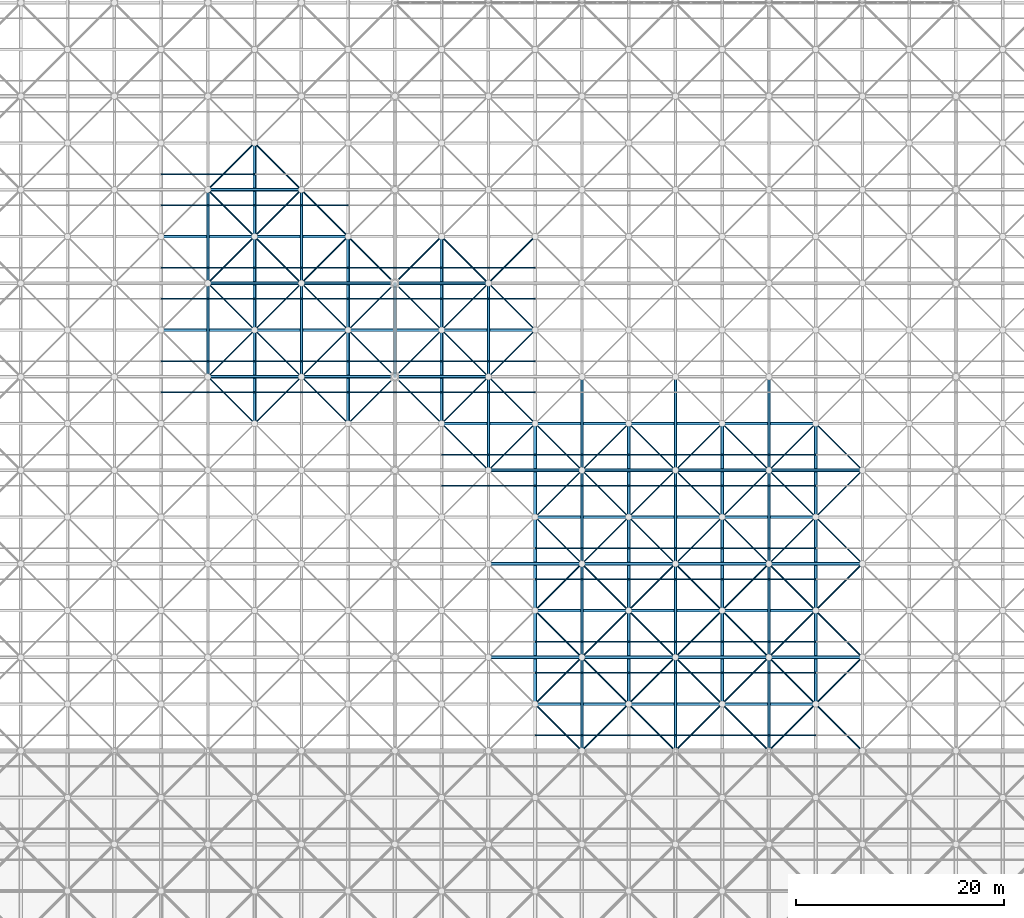
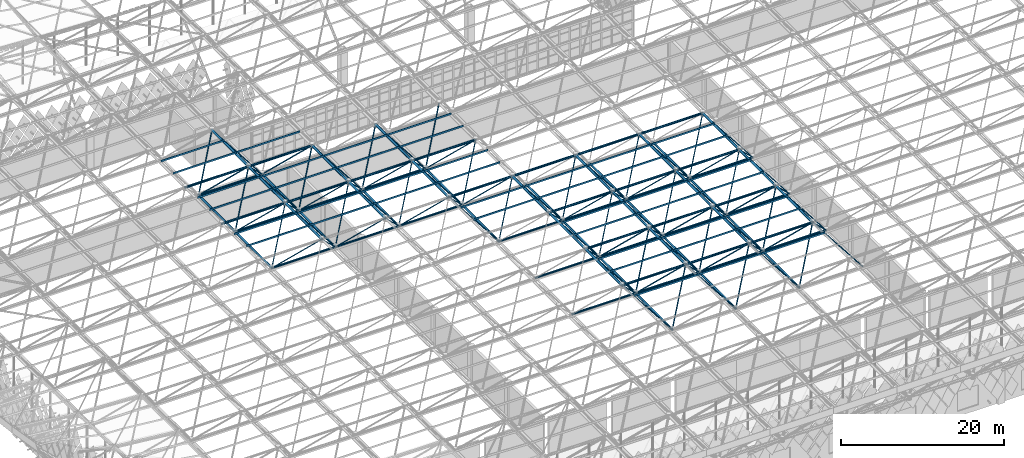
# One storey, part 91 of 437: 202 members.
"""IFC4 building model written with IfcOpenShell, lengths in metres."""

from ifc_helpers import new_model, si_unit, direction, frame, origin, origin_2d, place, context, subcontext, project, spatial, polyline, hollow_circle, outline, extrude, material, material_profile, profile_set, type_object, element, save


model = new_model("IFC4")

# Units and contexts
model_context = context("Model", 3, precision=1e-05, world=origin(), true_north=direction((0.0, 1.0)))
body_context = subcontext(model_context, "Body", "Model", "MODEL_VIEW")
ifc_project = project(units=[si_unit("LENGTHUNIT", "METRE"), si_unit("AREAUNIT", "SQUARE_METRE"), si_unit("VOLUMEUNIT", "CUBIC_METRE"), si_unit("PLANEANGLEUNIT", "RADIAN"), si_unit("MASSUNIT", "GRAM", prefix="KILO")], contexts=[model_context])

# Site, building, storey
site_placement = place(None, origin())
site = spatial("IfcSite", under=ifc_project, at=site_placement, CompositionType="ELEMENT")
building_placement = place(site_placement, origin())
building = spatial("IfcBuilding", under=site, at=building_placement, Name="Opaline Strait Convention Centre", CompositionType="ELEMENT")
storey_placement = place(building_placement, frame((0.0, 0.0, 11.5)))
storey = spatial("IfcBuildingStorey", under=building, at=storey_placement, Name="L02", CompositionType="ELEMENT", Elevation=11.5)

# Members
ifc_material = material(Name="Steel Q355B", Category="steel")
ifc_material_profile_1 = material_profile(ifc_material, outline(polyline([(-0.03759765625, -0.125), (0.03759765625, -0.125), (0.03759765625, -0.10498046875), (0.034912109375, -0.10498046875), (0.034912109375, -0.12255859375), (-0.034912109375, -0.12255859375), (-0.034912109375, 0.12255859375), (0.034912109375, 0.12255859375), (0.034912109375, 0.10498046875), (0.03759765625, 0.10498046875), (0.03759765625, 0.125), (-0.03759765625, 0.125), (-0.03759765625, -0.125)])), Name="C 250x75x20x2.5")
ifc_profile_set_1 = profile_set([ifc_material_profile_1], Name="Steel Q355B")
member_type_1 = type_object("IfcMemberType", Name="Roof purlin C 250x75x20x2.5", PredefinedType="PURLIN", material=ifc_profile_set_1)
for number, where, z_axis, x_axis, name in (
    (1, (166.5, 73.5, 18.257080078125), (1.0, 0.0, 0.0), (0.0, 1.0, 0.0), "EXB-RF-P-9-3-1"),
    (2, (175.5, 73.5, 18.257080078125), (1.0, 0.0, 0.0), (0.0, 1.0, 0.0), "EXB-RF-P-10-3-1"),
    (3, (184.5, 73.5, 18.257080078125), (1.0, 0.0, 0.0), (0.0, 1.0, 0.0), "EXB-RF-P-11-3-1"),
    (4, (166.5, 79.5, 18.257080078125), (1.0, 0.0, 0.0), (0.0, 1.0, 0.0), "EXB-RF-P-9-4-0"),
    (5, (166.5, 82.5, 18.257080078125), (1.0, 0.0, 0.0), (0.0, 1.0, 0.0), "EXB-RF-P-9-4-1"),
    (6, (175.5, 79.5, 18.257080078125), (1.0, 0.0, 0.0), (0.0, 1.0, 0.0), "EXB-RF-P-10-4-0"),
    (7, (175.5, 82.5, 18.257080078125), (1.0, 0.0, 0.0), (0.0, 1.0, 0.0), "EXB-RF-P-10-4-1"),
    (8, (184.5, 79.5, 18.257080078125), (1.0, 0.0, 0.0), (0.0, 1.0, 0.0), "EXB-RF-P-11-4-0"),
    (9, (184.5, 82.5, 18.257080078125), (1.0, 0.0, 0.0), (0.0, 1.0, 0.0), "EXB-RF-P-11-4-1"),
    (10, (166.5, 88.5, 18.257080078125), (1.0, 0.0, 0.0), (0.0, 1.0, 0.0), "EXB-RF-P-9-5-0"),
    (11, (166.5, 91.5, 18.257080078125), (1.0, 0.0, 0.0), (0.0, 1.0, 0.0), "EXB-RF-P-9-5-1"),
    (12, (175.5, 88.5, 18.257080078125), (1.0, 0.0, 0.0), (0.0, 1.0, 0.0), "EXB-RF-P-10-5-0"),
    (13, (175.5, 91.5, 18.257080078125), (1.0, 0.0, 0.0), (0.0, 1.0, 0.0), "EXB-RF-P-10-5-1"),
    (14, (184.5, 88.5, 18.257080078125), (1.0, 0.0, 0.0), (0.0, 1.0, 0.0), "EXB-RF-P-11-5-0"),
    (15, (184.5, 91.5, 18.257080078125), (1.0, 0.0, 0.0), (0.0, 1.0, 0.0), "EXB-RF-P-11-5-1"),
    (16, (157.5, 97.5, 18.257080078125), (1.0, 0.0, 0.0), (0.0, 1.0, 0.0), "EXB-RF-P-8-6-0"),
    (17, (157.5, 100.5, 18.257080078125), (1.0, 0.0, 0.0), (0.0, 1.0, 0.0), "EXB-RF-P-8-6-1"),
    (18, (166.5, 97.5, 18.257080078125), (1.0, 0.0, 0.0), (0.0, 1.0, 0.0), "EXB-RF-P-9-6-0"),
    (19, (166.5, 100.5, 18.257080078125), (1.0, 0.0, 0.0), (0.0, 1.0, 0.0), "EXB-RF-P-9-6-1"),
    (20, (175.5, 97.5, 18.257080078125), (1.0, 0.0, 0.0), (0.0, 1.0, 0.0), "EXB-RF-P-10-6-0"),
    (21, (175.5, 100.5, 18.257080078125), (1.0, 0.0, 0.0), (0.0, 1.0, 0.0), "EXB-RF-P-10-6-1"),
    (22, (184.5, 97.5, 18.257080078125), (1.0, 0.0, 0.0), (0.0, 1.0, 0.0), "EXB-RF-P-11-6-0"),
    (23, (184.5, 100.5, 18.257080078125), (1.0, 0.0, 0.0), (0.0, 1.0, 0.0), "EXB-RF-P-11-6-1"),
    (24, (130.5, 106.5, 18.257080078125), (1.0, 0.0, 0.0), (0.0, 1.0, 0.0), "EXB-RF-P-5-7-0"),
    (25, (130.5, 109.5, 18.257080078125), (1.0, 0.0, 0.0), (0.0, 1.0, 0.0), "EXB-RF-P-5-7-1"),
    (26, (139.5, 106.5, 18.257080078125), (1.0, 0.0, 0.0), (0.0, 1.0, 0.0), "EXB-RF-P-6-7-0"),
    (27, (139.5, 109.5, 18.257080078125), (1.0, 0.0, 0.0), (0.0, 1.0, 0.0), "EXB-RF-P-6-7-1"),
    (28, (148.5, 106.5, 18.257080078125), (1.0, 0.0, 0.0), (0.0, 1.0, 0.0), "EXB-RF-P-7-7-0"),
    (29, (148.5, 109.5, 18.257080078125), (1.0, 0.0, 0.0), (0.0, 1.0, 0.0), "EXB-RF-P-7-7-1"),
    (30, (157.5, 106.5, 18.257080078125), (1.0, 0.0, 0.0), (0.0, 1.0, 0.0), "EXB-RF-P-8-7-0"),
    (31, (157.5, 109.5, 18.257080078125), (1.0, 0.0, 0.0), (0.0, 1.0, 0.0), "EXB-RF-P-8-7-1"),
    (32, (130.5, 115.5, 18.257080078125), (1.0, 0.0, 0.0), (0.0, 1.0, 0.0), "EXB-RF-P-5-8-0"),
    (33, (130.5, 118.5, 18.257080078125), (1.0, 0.0, 0.0), (0.0, 1.0, 0.0), "EXB-RF-P-5-8-1"),
    (34, (139.5, 115.5, 18.257080078125), (1.0, 0.0, 0.0), (0.0, 1.0, 0.0), "EXB-RF-P-6-8-0"),
    (35, (139.5, 118.5, 18.257080078125), (1.0, 0.0, 0.0), (0.0, 1.0, 0.0), "EXB-RF-P-6-8-1"),
    (36, (148.5, 115.5, 18.257080078125), (1.0, 0.0, 0.0), (0.0, 1.0, 0.0), "EXB-RF-P-7-8-0"),
    (37, (148.5, 118.5, 18.257080078125), (1.0, 0.0, 0.0), (0.0, 1.0, 0.0), "EXB-RF-P-7-8-1"),
    (38, (157.5, 115.5, 18.257080078125), (1.0, 0.0, 0.0), (0.0, 1.0, 0.0), "EXB-RF-P-8-8-0"),
    (39, (157.5, 118.5, 18.257080078125), (1.0, 0.0, 0.0), (0.0, 1.0, 0.0), "EXB-RF-P-8-8-1"),
    (40, (130.5, 124.5, 18.257080078125), (1.0, 0.0, 0.0), (0.0, 1.0, 0.0), "EXB-RF-P-5-9-0"),
    (41, (130.5, 127.5, 18.257080078125), (1.0, 0.0, 0.0), (0.0, 1.0, 0.0), "EXB-RF-P-5-9-1"),
    (42, (139.5, 124.5, 18.257080078125), (1.0, 0.0, 0.0), (0.0, 1.0, 0.0), "EXB-RF-P-6-9-0"),
):
    element("IfcMember", number, at=place(storey_placement, frame(where, z_axis=z_axis, x_axis=x_axis)), inside=storey, type_object=member_type_1, Name=name, PredefinedType="PURLIN", context=body_context, shape_type="SweptSolid", body=[
        extrude(outline(polyline([(-0.03759765625, -0.125), (0.03759765625, -0.125), (0.03759765625, -0.10498046875), (0.034912109375, -0.10498046875), (0.034912109375, -0.12255859375), (-0.034912109375, -0.12255859375), (-0.034912109375, 0.12255859375), (0.034912109375, 0.12255859375), (0.034912109375, 0.10498046875), (0.03759765625, 0.10498046875), (0.03759765625, 0.125), (-0.03759765625, 0.125), (-0.03759765625, -0.125)])), origin(), (0.0, 0.0, 1.0), 9.0),
    ])
ifc_material_profile_2 = material_profile(ifc_material, hollow_circle(Radius=0.1494140625, WallThickness=0.010009765625, at=origin_2d()), Name="CHS 299x10")
ifc_profile_set_2 = profile_set([ifc_material_profile_2], Name="Steel Q355B")
member_type_2 = type_object("IfcMemberType", Name="Space frame bottom chord CHS 299x10", PredefinedType="CHORD", material=ifc_profile_set_2)
for number, where, z_axis, x_axis, name in (
    (43, (134.949951171875, 108.0, 12.5), (1.0, 0.0, 0.0), (0.0, 1.0, 0.0), "EXB-RF-BX-5-7"),
    (44, (134.949951171875, 117.0, 12.5), (1.0, 0.0, 0.0), (0.0, 1.0, 0.0), "EXB-RF-BX-5-8"),
    (45, (134.949951171875, 126.0, 12.5), (1.0, 0.0, 0.0), (0.0, 1.0, 0.0), "EXB-RF-BX-5-9"),
    (46, (135.0, 107.949951171875, 12.5), (0.0, 1.0, 0.0), (-1.0, 0.0, 0.0), "EXB-RF-BY-5-7"),
    (47, (135.0, 116.949951171875, 12.5), (0.0, 1.0, 0.0), (-1.0, 0.0, 0.0), "EXB-RF-BY-5-8"),
):
    element("IfcMember", number, at=place(storey_placement, frame(where, z_axis=z_axis, x_axis=x_axis)), inside=storey, type_object=member_type_2, Name=name, PredefinedType="CHORD", context=body_context, shape_type="SweptSolid", body=[
        extrude(hollow_circle(Radius=0.1494140625, WallThickness=0.010009765625, at=origin_2d()), origin(), (0.0, 0.0, 1.0), 9.10009765625),
    ])
ifc_material_profile_3 = material_profile(ifc_material, hollow_circle(Radius=0.1494140625, WallThickness=0.01611328125, at=origin_2d()), Name="CHS 299x16")
ifc_profile_set_3 = profile_set([ifc_material_profile_3], Name="Steel Q355B")
member_type_3 = type_object("IfcMemberType", Name="Space frame bottom chord CHS 299x16", PredefinedType="CHORD", material=ifc_profile_set_3)
for number, where, z_axis, x_axis, name in (
    (48, (161.949951171875, 81.0, 12.5), (1.0, 0.0, 0.0), (0.0, 1.0, 0.0), "EXB-RF-BX-8-4"),
    (49, (170.949951171875, 81.0, 12.5), (1.0, 0.0, 0.0), (0.0, 1.0, 0.0), "EXB-RF-BX-9-4"),
    (50, (179.949951171875, 81.0, 12.5), (1.0, 0.0, 0.0), (0.0, 1.0, 0.0), "EXB-RF-BX-10-4"),
    (51, (188.949951171875, 81.0, 12.5), (1.0, 0.0, 0.0), (0.0, 1.0, 0.0), "EXB-RF-BX-11-4"),
    (52, (161.949951171875, 90.0, 12.5), (1.0, 0.0, 0.0), (0.0, 1.0, 0.0), "EXB-RF-BX-8-5"),
    (53, (170.949951171875, 90.0, 12.5), (1.0, 0.0, 0.0), (0.0, 1.0, 0.0), "EXB-RF-BX-9-5"),
    (54, (179.949951171875, 90.0, 12.5), (1.0, 0.0, 0.0), (0.0, 1.0, 0.0), "EXB-RF-BX-10-5"),
    (55, (188.949951171875, 90.0, 12.5), (1.0, 0.0, 0.0), (0.0, 1.0, 0.0), "EXB-RF-BX-11-5"),
    (56, (161.949951171875, 99.0, 12.5), (1.0, 0.0, 0.0), (0.0, 1.0, 0.0), "EXB-RF-BX-8-6"),
    (57, (170.949951171875, 99.0, 12.5), (1.0, 0.0, 0.0), (0.0, 1.0, 0.0), "EXB-RF-BX-9-6"),
    (58, (179.949951171875, 99.0, 12.5), (1.0, 0.0, 0.0), (0.0, 1.0, 0.0), "EXB-RF-BX-10-6"),
    (59, (188.949951171875, 99.0, 12.5), (1.0, 0.0, 0.0), (0.0, 1.0, 0.0), "EXB-RF-BX-11-6"),
    (60, (143.949951171875, 108.0, 12.5), (1.0, 0.0, 0.0), (0.0, 1.0, 0.0), "EXB-RF-BX-6-7"),
    (61, (152.949951171875, 108.0, 12.5), (1.0, 0.0, 0.0), (0.0, 1.0, 0.0), "EXB-RF-BX-7-7"),
    (62, (143.949951171875, 117.0, 12.5), (1.0, 0.0, 0.0), (0.0, 1.0, 0.0), "EXB-RF-BX-6-8"),
    (63, (152.949951171875, 117.0, 12.5), (1.0, 0.0, 0.0), (0.0, 1.0, 0.0), "EXB-RF-BX-7-8"),
    (64, (144.0, 107.949951171875, 12.5), (0.0, 1.0, 0.0), (-1.0, 0.0, 0.0), "EXB-RF-BY-6-7"),
    (65, (144.0, 116.949951171875, 12.5), (0.0, 1.0, 0.0), (-1.0, 0.0, 0.0), "EXB-RF-BY-6-8"),
    (66, (153.0, 107.949951171875, 12.5), (0.0, 1.0, 0.0), (-1.0, 0.0, 0.0), "EXB-RF-BY-7-7"),
    (67, (162.0, 98.949951171875, 12.5), (0.0, 1.0, 0.0), (-1.0, 0.0, 0.0), "EXB-RF-BY-8-6"),
    (68, (162.0, 107.949951171875, 12.5), (0.0, 1.0, 0.0), (-1.0, 0.0, 0.0), "EXB-RF-BY-8-7"),
    (69, (171.0, 71.949951171875, 12.5), (0.0, 1.0, 0.0), (-1.0, 0.0, 0.0), "EXB-RF-BY-9-3"),
    (70, (171.0, 80.949951171875, 12.5), (0.0, 1.0, 0.0), (-1.0, 0.0, 0.0), "EXB-RF-BY-9-4"),
    (71, (171.0, 89.949951171875, 12.5), (0.0, 1.0, 0.0), (-1.0, 0.0, 0.0), "EXB-RF-BY-9-5"),
    (72, (171.0, 98.949951171875, 12.5), (0.0, 1.0, 0.0), (-1.0, 0.0, 0.0), "EXB-RF-BY-9-6"),
    (73, (180.0, 71.949951171875, 12.5), (0.0, 1.0, 0.0), (-1.0, 0.0, 0.0), "EXB-RF-BY-10-3"),
    (74, (180.0, 80.949951171875, 12.5), (0.0, 1.0, 0.0), (-1.0, 0.0, 0.0), "EXB-RF-BY-10-4"),
    (75, (180.0, 89.949951171875, 12.5), (0.0, 1.0, 0.0), (-1.0, 0.0, 0.0), "EXB-RF-BY-10-5"),
    (76, (180.0, 98.949951171875, 12.5), (0.0, 1.0, 0.0), (-1.0, 0.0, 0.0), "EXB-RF-BY-10-6"),
    (77, (189.0, 71.949951171875, 12.5), (0.0, 1.0, 0.0), (-1.0, 0.0, 0.0), "EXB-RF-BY-11-3"),
    (78, (189.0, 80.949951171875, 12.5), (0.0, 1.0, 0.0), (-1.0, 0.0, 0.0), "EXB-RF-BY-11-4"),
    (79, (189.0, 89.949951171875, 12.5), (0.0, 1.0, 0.0), (-1.0, 0.0, 0.0), "EXB-RF-BY-11-5"),
    (80, (189.0, 98.949951171875, 12.5), (0.0, 1.0, 0.0), (-1.0, 0.0, 0.0), "EXB-RF-BY-11-6"),
):
    element("IfcMember", number, at=place(storey_placement, frame(where, z_axis=z_axis, x_axis=x_axis)), inside=storey, type_object=member_type_3, Name=name, PredefinedType="CHORD", context=body_context, shape_type="SweptSolid", body=[
        extrude(hollow_circle(Radius=0.1494140625, WallThickness=0.01611328125, at=origin_2d()), origin(), (0.0, 0.0, 1.0), 9.10009765625),
    ])
ifc_material_profile_4 = material_profile(ifc_material, hollow_circle(Radius=0.16259765625, WallThickness=0.010009765625, at=origin_2d()), Name="CHS 325x10")
ifc_profile_set_4 = profile_set([ifc_material_profile_4], Name="Steel Q355B")
member_type_4 = type_object("IfcMemberType", Name="Space frame top chord CHS 325x10", PredefinedType="CHORD", material=ifc_profile_set_4)
for number, where, z_axis, x_axis, name in (
    (81, (166.449951171875, 76.5, 17.971435546875), (1.0, 0.0, 0.0), (0.0, 1.0, 0.0), "EXB-RF-TX-9-4"),
    (82, (175.449951171875, 76.5, 17.971435546875), (1.0, 0.0, 0.0), (0.0, 1.0, 0.0), "EXB-RF-TX-10-4"),
    (83, (184.449951171875, 76.5, 17.971435546875), (1.0, 0.0, 0.0), (0.0, 1.0, 0.0), "EXB-RF-TX-11-4"),
    (84, (166.449951171875, 85.5, 17.971435546875), (1.0, 0.0, 0.0), (0.0, 1.0, 0.0), "EXB-RF-TX-9-5"),
    (85, (175.449951171875, 85.5, 17.971435546875), (1.0, 0.0, 0.0), (0.0, 1.0, 0.0), "EXB-RF-TX-10-5"),
    (86, (184.449951171875, 85.5, 17.971435546875), (1.0, 0.0, 0.0), (0.0, 1.0, 0.0), "EXB-RF-TX-11-5"),
    (87, (166.449951171875, 94.5, 17.971435546875), (1.0, 0.0, 0.0), (0.0, 1.0, 0.0), "EXB-RF-TX-9-6"),
    (88, (175.449951171875, 94.5, 17.971435546875), (1.0, 0.0, 0.0), (0.0, 1.0, 0.0), "EXB-RF-TX-10-6"),
    (89, (184.449951171875, 94.5, 17.971435546875), (1.0, 0.0, 0.0), (0.0, 1.0, 0.0), "EXB-RF-TX-11-6"),
    (90, (157.449951171875, 103.5, 17.971435546875), (1.0, 0.0, 0.0), (0.0, 1.0, 0.0), "EXB-RF-TX-8-7"),
    (91, (166.449951171875, 103.5, 17.971435546875), (1.0, 0.0, 0.0), (0.0, 1.0, 0.0), "EXB-RF-TX-9-7"),
    (92, (175.449951171875, 103.5, 17.971435546875), (1.0, 0.0, 0.0), (0.0, 1.0, 0.0), "EXB-RF-TX-10-7"),
    (93, (184.449951171875, 103.5, 17.971435546875), (1.0, 0.0, 0.0), (0.0, 1.0, 0.0), "EXB-RF-TX-11-7"),
    (94, (130.449951171875, 112.5, 17.971435546875), (1.0, 0.0, 0.0), (0.0, 1.0, 0.0), "EXB-RF-TX-5-8"),
    (95, (139.449951171875, 112.5, 17.971435546875), (1.0, 0.0, 0.0), (0.0, 1.0, 0.0), "EXB-RF-TX-6-8"),
    (96, (148.449951171875, 112.5, 17.971435546875), (1.0, 0.0, 0.0), (0.0, 1.0, 0.0), "EXB-RF-TX-7-8"),
    (97, (157.449951171875, 112.5, 17.971435546875), (1.0, 0.0, 0.0), (0.0, 1.0, 0.0), "EXB-RF-TX-8-8"),
    (98, (130.449951171875, 121.5, 17.971435546875), (1.0, 0.0, 0.0), (0.0, 1.0, 0.0), "EXB-RF-TX-5-9"),
    (99, (139.449951171875, 121.5, 17.971435546875), (1.0, 0.0, 0.0), (0.0, 1.0, 0.0), "EXB-RF-TX-6-9"),
    (100, (139.5, 103.449951171875, 17.971435546875), (0.0, 1.0, 0.0), (-1.0, 0.0, 0.0), "EXB-RF-TY-6-7"),
    (101, (139.5, 112.449951171875, 17.971435546875), (0.0, 1.0, 0.0), (-1.0, 0.0, 0.0), "EXB-RF-TY-6-8"),
    (102, (139.5, 121.449951171875, 17.971435546875), (0.0, 1.0, 0.0), (-1.0, 0.0, 0.0), "EXB-RF-TY-6-9"),
    (103, (148.5, 103.449951171875, 17.971435546875), (0.0, 1.0, 0.0), (-1.0, 0.0, 0.0), "EXB-RF-TY-7-7"),
    (104, (148.5, 112.449951171875, 17.971435546875), (0.0, 1.0, 0.0), (-1.0, 0.0, 0.0), "EXB-RF-TY-7-8"),
    (105, (157.5, 103.449951171875, 17.971435546875), (0.0, 1.0, 0.0), (-1.0, 0.0, 0.0), "EXB-RF-TY-8-7"),
    (106, (157.5, 112.449951171875, 17.971435546875), (0.0, 1.0, 0.0), (-1.0, 0.0, 0.0), "EXB-RF-TY-8-8"),
    (107, (166.5, 76.449951171875, 17.971435546875), (0.0, 1.0, 0.0), (-1.0, 0.0, 0.0), "EXB-RF-TY-9-4"),
    (108, (166.5, 85.449951171875, 17.971435546875), (0.0, 1.0, 0.0), (-1.0, 0.0, 0.0), "EXB-RF-TY-9-5"),
    (109, (166.5, 94.449951171875, 17.971435546875), (0.0, 1.0, 0.0), (-1.0, 0.0, 0.0), "EXB-RF-TY-9-6"),
    (110, (175.5, 76.449951171875, 17.971435546875), (0.0, 1.0, 0.0), (-1.0, 0.0, 0.0), "EXB-RF-TY-10-4"),
    (111, (175.5, 85.449951171875, 17.971435546875), (0.0, 1.0, 0.0), (-1.0, 0.0, 0.0), "EXB-RF-TY-10-5"),
    (112, (175.5, 94.449951171875, 17.971435546875), (0.0, 1.0, 0.0), (-1.0, 0.0, 0.0), "EXB-RF-TY-10-6"),
    (113, (184.5, 76.449951171875, 17.971435546875), (0.0, 1.0, 0.0), (-1.0, 0.0, 0.0), "EXB-RF-TY-11-4"),
    (114, (184.5, 85.449951171875, 17.971435546875), (0.0, 1.0, 0.0), (-1.0, 0.0, 0.0), "EXB-RF-TY-11-5"),
    (115, (184.5, 94.449951171875, 17.971435546875), (0.0, 1.0, 0.0), (-1.0, 0.0, 0.0), "EXB-RF-TY-11-6"),
    (116, (193.5, 76.449951171875, 17.971435546875), (0.0, 1.0, 0.0), (-1.0, 0.0, 0.0), "EXB-RF-TY-12-4"),
    (117, (193.5, 85.449951171875, 17.971435546875), (0.0, 1.0, 0.0), (-1.0, 0.0, 0.0), "EXB-RF-TY-12-5"),
    (118, (193.5, 94.449951171875, 17.971435546875), (0.0, 1.0, 0.0), (-1.0, 0.0, 0.0), "EXB-RF-TY-12-6"),
):
    element("IfcMember", number, at=place(storey_placement, frame(where, z_axis=z_axis, x_axis=x_axis)), inside=storey, type_object=member_type_4, Name=name, PredefinedType="CHORD", context=body_context, shape_type="SweptSolid", body=[
        extrude(hollow_circle(Radius=0.16259765625, WallThickness=0.010009765625, at=origin_2d()), origin(), (0.0, 0.0, 1.0), 9.10009765625),
    ])
ifc_material_profile_5 = material_profile(ifc_material, hollow_circle(Radius=0.070068359375, WallThickness=0.0048828125, at=origin_2d()), Name="CHS 140x5")
ifc_profile_set_5 = profile_set([ifc_material_profile_5], Name="Steel Q355B")
member_type_5 = type_object("IfcMemberType", Name="Space frame web CHS 140x5", PredefinedType="BRACE", material=ifc_profile_set_5)
for number, where, z_axis, x_axis, name in (
    (119, (139.52685546875, 103.47314453125, 18.004150390625), (-0.536178220346, 0.536178220346, -0.6519400525), (-0.707106781187, -0.707106781187, 0.0), "EXB-RF-W-5-7-10"),
    (120, (139.52685546875, 112.52685546875, 18.004150390625), (-0.536178220346, -0.536178220346, -0.6519400525), (0.707106781187, -0.707106781187, 0.0), "EXB-RF-W-5-7-11"),
    (121, (139.52685546875, 112.47314453125, 18.004150390625), (-0.536178220346, 0.536178220346, -0.6519400525), (-0.707106781187, -0.707106781187, 0.0), "EXB-RF-W-5-8-10"),
    (122, (139.47314453125, 103.47314453125, 18.004150390625), (0.536178220346, 0.536178220346, -0.6519400525), (-0.707106781187, 0.707106781187, 0.0), "EXB-RF-W-6-7-00"),
    (123, (139.47314453125, 112.52685546875, 18.004150390625), (0.536178220346, -0.536178220346, -0.6519400525), (0.707106781187, 0.707106781187, 0.0), "EXB-RF-W-6-7-01"),
    (124, (148.52685546875, 103.47314453125, 18.004150390625), (-0.536178220346, 0.536178220346, -0.6519400525), (-0.707106781187, -0.707106781187, 0.0), "EXB-RF-W-6-7-10"),
    (125, (148.52685546875, 112.52685546875, 18.004150390625), (-0.536178220346, -0.536178220346, -0.6519400525), (0.707106781187, -0.707106781187, 0.0), "EXB-RF-W-6-7-11"),
    (126, (139.47314453125, 112.47314453125, 18.004150390625), (0.536178220346, 0.536178220346, -0.6519400525), (-0.707106781187, 0.707106781187, 0.0), "EXB-RF-W-6-8-00"),
    (127, (148.52685546875, 112.47314453125, 18.004150390625), (-0.536178220346, 0.536178220346, -0.6519400525), (-0.707106781187, -0.707106781187, 0.0), "EXB-RF-W-6-8-10"),
    (128, (148.47314453125, 103.47314453125, 18.004150390625), (0.536178220346, 0.536178220346, -0.6519400525), (-0.707106781187, 0.707106781187, 0.0), "EXB-RF-W-7-7-00"),
    (129, (148.47314453125, 112.52685546875, 18.004150390625), (0.536178220346, -0.536178220346, -0.6519400525), (0.707106781187, 0.707106781187, 0.0), "EXB-RF-W-7-7-01"),
    (130, (157.52685546875, 103.47314453125, 18.004150390625), (-0.536178220346, 0.536178220346, -0.6519400525), (-0.707106781187, -0.707106781187, 0.0), "EXB-RF-W-7-7-10"),
    (131, (157.52685546875, 112.52685546875, 18.004150390625), (-0.536178220346, -0.536178220346, -0.6519400525), (0.707106781187, -0.707106781187, 0.0), "EXB-RF-W-7-7-11"),
    (132, (148.47314453125, 112.47314453125, 18.004150390625), (0.536178220346, 0.536178220346, -0.6519400525), (-0.707106781187, 0.707106781187, 0.0), "EXB-RF-W-7-8-00"),
    (133, (157.52685546875, 112.47314453125, 18.004150390625), (-0.536178220346, 0.536178220346, -0.6519400525), (-0.707106781187, -0.707106781187, 0.0), "EXB-RF-W-7-8-10"),
    (134, (157.47314453125, 103.52685546875, 18.004150390625), (0.536178220346, -0.536178220346, -0.6519400525), (0.707106781187, 0.707106781187, 0.0), "EXB-RF-W-8-6-01"),
    (135, (166.52685546875, 103.52685546875, 18.004150390625), (-0.536178220346, -0.536178220346, -0.6519400525), (0.707106781187, -0.707106781187, 0.0), "EXB-RF-W-8-6-11"),
    (136, (157.47314453125, 103.47314453125, 18.004150390625), (0.536178220346, 0.536178220346, -0.6519400525), (-0.707106781187, 0.707106781187, 0.0), "EXB-RF-W-8-7-00"),
    (137, (157.47314453125, 112.52685546875, 18.004150390625), (0.536178220346, -0.536178220346, -0.6519400525), (0.707106781187, 0.707106781187, 0.0), "EXB-RF-W-8-7-01"),
    (138, (166.52685546875, 103.47314453125, 18.004150390625), (-0.536178220346, 0.536178220346, -0.6519400525), (-0.707106781187, -0.707106781187, 0.0), "EXB-RF-W-8-7-10"),
    (139, (166.52685546875, 112.52685546875, 18.004150390625), (-0.536178220346, -0.536178220346, -0.6519400525), (0.707106781187, -0.707106781187, 0.0), "EXB-RF-W-8-7-11"),
    (140, (157.47314453125, 112.47314453125, 18.004150390625), (0.536178220346, 0.536178220346, -0.6519400525), (-0.707106781187, 0.707106781187, 0.0), "EXB-RF-W-8-8-00"),
    (141, (166.52685546875, 112.47314453125, 18.004150390625), (-0.536178220346, 0.536178220346, -0.6519400525), (-0.707106781187, -0.707106781187, 0.0), "EXB-RF-W-8-8-10"),
    (142, (166.47314453125, 94.52685546875, 18.004150390625), (0.536178220346, -0.536178220346, -0.6519400525), (0.707106781187, 0.707106781187, 0.0), "EXB-RF-W-9-5-01"),
    (143, (175.52685546875, 94.52685546875, 18.004150390625), (-0.536178220346, -0.536178220346, -0.6519400525), (0.707106781187, -0.707106781187, 0.0), "EXB-RF-W-9-5-11"),
    (144, (166.47314453125, 94.47314453125, 18.004150390625), (0.536178220346, 0.536178220346, -0.6519400525), (-0.707106781187, 0.707106781187, 0.0), "EXB-RF-W-9-6-00"),
    (145, (166.47314453125, 103.52685546875, 18.004150390625), (0.536178220346, -0.536178220346, -0.6519400525), (0.707106781187, 0.707106781187, 0.0), "EXB-RF-W-9-6-01"),
    (146, (175.52685546875, 94.47314453125, 18.004150390625), (-0.536178220346, 0.536178220346, -0.6519400525), (-0.707106781187, -0.707106781187, 0.0), "EXB-RF-W-9-6-10"),
    (147, (175.52685546875, 103.52685546875, 18.004150390625), (-0.536178220346, -0.536178220346, -0.6519400525), (0.707106781187, -0.707106781187, 0.0), "EXB-RF-W-9-6-11"),
    (148, (175.47314453125, 94.52685546875, 18.004150390625), (0.536178220346, -0.536178220346, -0.6519400525), (0.707106781187, 0.707106781187, 0.0), "EXB-RF-W-10-5-01"),
    (149, (184.52685546875, 94.52685546875, 18.004150390625), (-0.536178220346, -0.536178220346, -0.6519400525), (0.707106781187, -0.707106781187, 0.0), "EXB-RF-W-10-5-11"),
    (150, (175.47314453125, 94.47314453125, 18.004150390625), (0.536178220346, 0.536178220346, -0.6519400525), (-0.707106781187, 0.707106781187, 0.0), "EXB-RF-W-10-6-00"),
    (151, (175.47314453125, 103.52685546875, 18.004150390625), (0.536178220346, -0.536178220346, -0.6519400525), (0.707106781187, 0.707106781187, 0.0), "EXB-RF-W-10-6-01"),
    (152, (184.52685546875, 94.47314453125, 18.004150390625), (-0.536178220346, 0.536178220346, -0.6519400525), (-0.707106781187, -0.707106781187, 0.0), "EXB-RF-W-10-6-10"),
    (153, (184.52685546875, 103.52685546875, 18.004150390625), (-0.536178220346, -0.536178220346, -0.6519400525), (0.707106781187, -0.707106781187, 0.0), "EXB-RF-W-10-6-11"),
    (154, (184.47314453125, 94.52685546875, 18.004150390625), (0.536178220346, -0.536178220346, -0.6519400525), (0.707106781187, 0.707106781187, 0.0), "EXB-RF-W-11-5-01"),
    (155, (193.52685546875, 94.52685546875, 18.004150390625), (-0.536178220346, -0.536178220346, -0.6519400525), (0.707106781187, -0.707106781187, 0.0), "EXB-RF-W-11-5-11"),
    (156, (184.47314453125, 94.47314453125, 18.004150390625), (0.536178220346, 0.536178220346, -0.6519400525), (-0.707106781187, 0.707106781187, 0.0), "EXB-RF-W-11-6-00"),
    (157, (184.47314453125, 103.52685546875, 18.004150390625), (0.536178220346, -0.536178220346, -0.6519400525), (0.707106781187, 0.707106781187, 0.0), "EXB-RF-W-11-6-01"),
    (158, (193.52685546875, 94.47314453125, 18.004150390625), (-0.536178220346, 0.536178220346, -0.6519400525), (-0.707106781187, -0.707106781187, 0.0), "EXB-RF-W-11-6-10"),
    (159, (193.52685546875, 103.52685546875, 18.004150390625), (-0.536178220346, -0.536178220346, -0.6519400525), (0.707106781187, -0.707106781187, 0.0), "EXB-RF-W-11-6-11"),
    (160, (193.47314453125, 94.52685546875, 18.004150390625), (0.536178220346, -0.536178220346, -0.6519400525), (0.707106781187, 0.707106781187, 0.0), "EXB-RF-W-12-5-01"),
    (161, (193.47314453125, 94.47314453125, 18.004150390625), (0.536178220346, 0.536178220346, -0.6519400525), (-0.707106781187, 0.707106781187, 0.0), "EXB-RF-W-12-6-00"),
    (162, (193.47314453125, 103.52685546875, 18.004150390625), (0.536178220346, -0.536178220346, -0.6519400525), (0.707106781187, 0.707106781187, 0.0), "EXB-RF-W-12-6-01"),
):
    element("IfcMember", number, at=place(storey_placement, frame(where, z_axis=z_axis, x_axis=x_axis)), inside=storey, type_object=member_type_5, Name=name, PredefinedType="BRACE", context=body_context, shape_type="SweptSolid", body=[
        extrude(hollow_circle(Radius=0.070068359375, WallThickness=0.0048828125, at=origin_2d()), origin(), (0.0, 0.0, 1.0), 8.492919921875),
    ])
ifc_material_profile_6 = material_profile(ifc_material, hollow_circle(Radius=0.083984375, WallThickness=0.008056640625, at=origin_2d()), Name="CHS 168x8")
ifc_profile_set_6 = profile_set([ifc_material_profile_6], Name="Steel Q355B")
member_type_6 = type_object("IfcMemberType", Name="Space frame web CHS 168x8", PredefinedType="BRACE", material=ifc_profile_set_6)
for number, where, z_axis, x_axis, name in (
    (163, (139.52685546875, 121.52685546875, 18.004150390625), (-0.536178220346, -0.536178220346, -0.6519400525), (0.707106781187, -0.707106781187, 0.0), "EXB-RF-W-5-8-11"),
    (164, (139.52685546875, 121.47314453125, 18.004150390625), (-0.536178220346, 0.536178220346, -0.6519400525), (-0.707106781187, -0.707106781187, 0.0), "EXB-RF-W-5-9-10"),
    (165, (139.52685546875, 130.52685546875, 18.004150390625), (-0.536178220346, -0.536178220346, -0.6519400525), (0.707106781187, -0.707106781187, 0.0), "EXB-RF-W-5-9-11"),
    (166, (139.47314453125, 121.52685546875, 18.004150390625), (0.536178220346, -0.536178220346, -0.6519400525), (0.707106781187, 0.707106781187, 0.0), "EXB-RF-W-6-8-01"),
    (167, (148.52685546875, 121.52685546875, 18.004150390625), (-0.536178220346, -0.536178220346, -0.6519400525), (0.707106781187, -0.707106781187, 0.0), "EXB-RF-W-6-8-11"),
    (168, (139.47314453125, 121.47314453125, 18.004150390625), (0.536178220346, 0.536178220346, -0.6519400525), (-0.707106781187, 0.707106781187, 0.0), "EXB-RF-W-6-9-00"),
    (169, (139.47314453125, 130.52685546875, 18.004150390625), (0.536178220346, -0.536178220346, -0.6519400525), (0.707106781187, 0.707106781187, 0.0), "EXB-RF-W-6-9-01"),
    (170, (148.52685546875, 121.47314453125, 18.004150390625), (-0.536178220346, 0.536178220346, -0.6519400525), (-0.707106781187, -0.707106781187, 0.0), "EXB-RF-W-6-9-10"),
    (171, (148.47314453125, 121.52685546875, 18.004150390625), (0.536178220346, -0.536178220346, -0.6519400525), (0.707106781187, 0.707106781187, 0.0), "EXB-RF-W-7-8-01"),
    (172, (157.52685546875, 121.52685546875, 18.004150390625), (-0.536178220346, -0.536178220346, -0.6519400525), (0.707106781187, -0.707106781187, 0.0), "EXB-RF-W-7-8-11"),
    (173, (157.47314453125, 121.52685546875, 18.004150390625), (0.536178220346, -0.536178220346, -0.6519400525), (0.707106781187, 0.707106781187, 0.0), "EXB-RF-W-8-8-01"),
    (174, (166.52685546875, 121.52685546875, 18.004150390625), (-0.536178220346, -0.536178220346, -0.6519400525), (0.707106781187, -0.707106781187, 0.0), "EXB-RF-W-8-8-11"),
    (175, (166.47314453125, 76.52685546875, 18.004150390625), (0.536178220346, -0.536178220346, -0.6519400525), (0.707106781187, 0.707106781187, 0.0), "EXB-RF-W-9-3-01"),
    (176, (175.52685546875, 76.52685546875, 18.004150390625), (-0.536178220346, -0.536178220346, -0.6519400525), (0.707106781187, -0.707106781187, 0.0), "EXB-RF-W-9-3-11"),
    (177, (166.47314453125, 76.47314453125, 18.004150390625), (0.536178220346, 0.536178220346, -0.6519400525), (-0.707106781187, 0.707106781187, 0.0), "EXB-RF-W-9-4-00"),
    (178, (166.47314453125, 85.52685546875, 18.004150390625), (0.536178220346, -0.536178220346, -0.6519400525), (0.707106781187, 0.707106781187, 0.0), "EXB-RF-W-9-4-01"),
    (179, (175.52685546875, 76.47314453125, 18.004150390625), (-0.536178220346, 0.536178220346, -0.6519400525), (-0.707106781187, -0.707106781187, 0.0), "EXB-RF-W-9-4-10"),
    (180, (175.52685546875, 85.52685546875, 18.004150390625), (-0.536178220346, -0.536178220346, -0.6519400525), (0.707106781187, -0.707106781187, 0.0), "EXB-RF-W-9-4-11"),
    (181, (166.47314453125, 85.47314453125, 18.004150390625), (0.536178220346, 0.536178220346, -0.6519400525), (-0.707106781187, 0.707106781187, 0.0), "EXB-RF-W-9-5-00"),
    (182, (175.52685546875, 85.47314453125, 18.004150390625), (-0.536178220346, 0.536178220346, -0.6519400525), (-0.707106781187, -0.707106781187, 0.0), "EXB-RF-W-9-5-10"),
    (183, (175.47314453125, 76.52685546875, 18.004150390625), (0.536178220346, -0.536178220346, -0.6519400525), (0.707106781187, 0.707106781187, 0.0), "EXB-RF-W-10-3-01"),
    (184, (184.52685546875, 76.52685546875, 18.004150390625), (-0.536178220346, -0.536178220346, -0.6519400525), (0.707106781187, -0.707106781187, 0.0), "EXB-RF-W-10-3-11"),
    (185, (175.47314453125, 76.47314453125, 18.004150390625), (0.536178220346, 0.536178220346, -0.6519400525), (-0.707106781187, 0.707106781187, 0.0), "EXB-RF-W-10-4-00"),
    (186, (175.47314453125, 85.52685546875, 18.004150390625), (0.536178220346, -0.536178220346, -0.6519400525), (0.707106781187, 0.707106781187, 0.0), "EXB-RF-W-10-4-01"),
    (187, (184.52685546875, 76.47314453125, 18.004150390625), (-0.536178220346, 0.536178220346, -0.6519400525), (-0.707106781187, -0.707106781187, 0.0), "EXB-RF-W-10-4-10"),
    (188, (184.52685546875, 85.52685546875, 18.004150390625), (-0.536178220346, -0.536178220346, -0.6519400525), (0.707106781187, -0.707106781187, 0.0), "EXB-RF-W-10-4-11"),
    (189, (175.47314453125, 85.47314453125, 18.004150390625), (0.536178220346, 0.536178220346, -0.6519400525), (-0.707106781187, 0.707106781187, 0.0), "EXB-RF-W-10-5-00"),
    (190, (184.52685546875, 85.47314453125, 18.004150390625), (-0.536178220346, 0.536178220346, -0.6519400525), (-0.707106781187, -0.707106781187, 0.0), "EXB-RF-W-10-5-10"),
    (191, (184.47314453125, 76.52685546875, 18.004150390625), (0.536178220346, -0.536178220346, -0.6519400525), (0.707106781187, 0.707106781187, 0.0), "EXB-RF-W-11-3-01"),
    (192, (193.52685546875, 76.52685546875, 18.004150390625), (-0.536178220346, -0.536178220346, -0.6519400525), (0.707106781187, -0.707106781187, 0.0), "EXB-RF-W-11-3-11"),
    (193, (184.47314453125, 76.47314453125, 18.004150390625), (0.536178220346, 0.536178220346, -0.6519400525), (-0.707106781187, 0.707106781187, 0.0), "EXB-RF-W-11-4-00"),
    (194, (184.47314453125, 85.52685546875, 18.004150390625), (0.536178220346, -0.536178220346, -0.6519400525), (0.707106781187, 0.707106781187, 0.0), "EXB-RF-W-11-4-01"),
    (195, (193.52685546875, 76.47314453125, 18.004150390625), (-0.536178220346, 0.536178220346, -0.6519400525), (-0.707106781187, -0.707106781187, 0.0), "EXB-RF-W-11-4-10"),
    (196, (193.52685546875, 85.52685546875, 18.004150390625), (-0.536178220346, -0.536178220346, -0.6519400525), (0.707106781187, -0.707106781187, 0.0), "EXB-RF-W-11-4-11"),
    (197, (184.47314453125, 85.47314453125, 18.004150390625), (0.536178220346, 0.536178220346, -0.6519400525), (-0.707106781187, 0.707106781187, 0.0), "EXB-RF-W-11-5-00"),
    (198, (193.52685546875, 85.47314453125, 18.004150390625), (-0.536178220346, 0.536178220346, -0.6519400525), (-0.707106781187, -0.707106781187, 0.0), "EXB-RF-W-11-5-10"),
    (199, (193.47314453125, 76.52685546875, 18.004150390625), (0.536178220346, -0.536178220346, -0.6519400525), (0.707106781187, 0.707106781187, 0.0), "EXB-RF-W-12-3-01"),
    (200, (193.47314453125, 76.47314453125, 18.004150390625), (0.536178220346, 0.536178220346, -0.6519400525), (-0.707106781187, 0.707106781187, 0.0), "EXB-RF-W-12-4-00"),
    (201, (193.47314453125, 85.52685546875, 18.004150390625), (0.536178220346, -0.536178220346, -0.6519400525), (0.707106781187, 0.707106781187, 0.0), "EXB-RF-W-12-4-01"),
    (202, (193.47314453125, 85.47314453125, 18.004150390625), (0.536178220346, 0.536178220346, -0.6519400525), (-0.707106781187, 0.707106781187, 0.0), "EXB-RF-W-12-5-00"),
):
    element("IfcMember", number, at=place(storey_placement, frame(where, z_axis=z_axis, x_axis=x_axis)), inside=storey, type_object=member_type_6, Name=name, PredefinedType="BRACE", context=body_context, shape_type="SweptSolid", body=[
        extrude(hollow_circle(Radius=0.083984375, WallThickness=0.008056640625, at=origin_2d()), origin(), (0.0, 0.0, 1.0), 8.492919921875),
    ])

save(model, "model.ifc")
